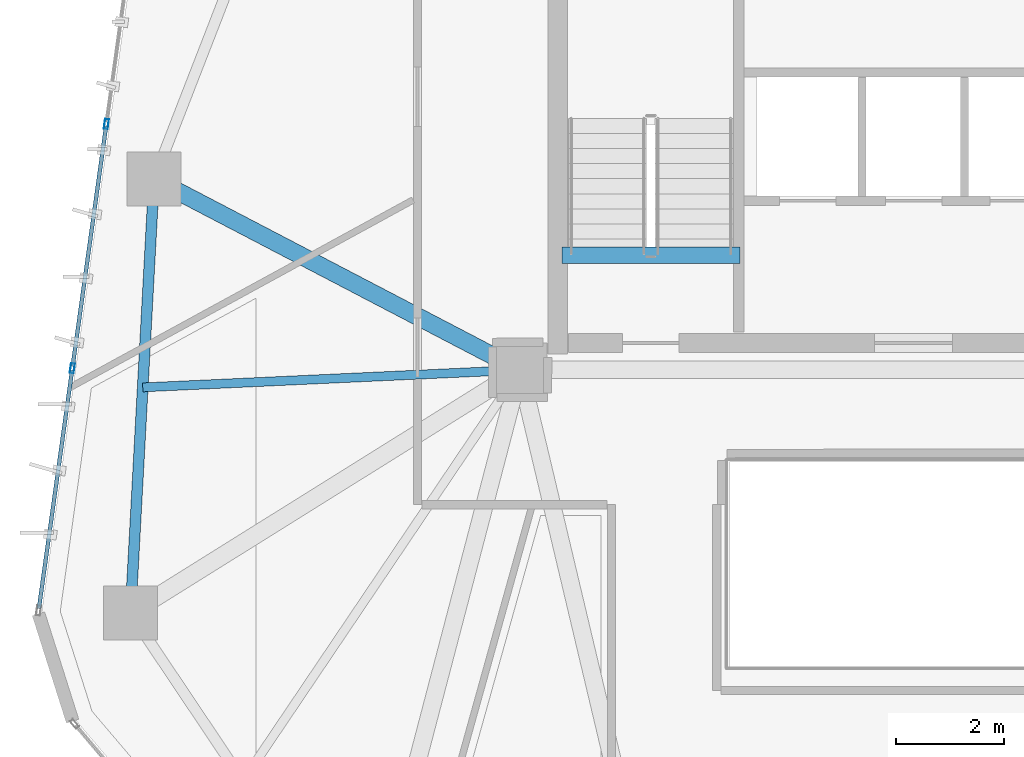
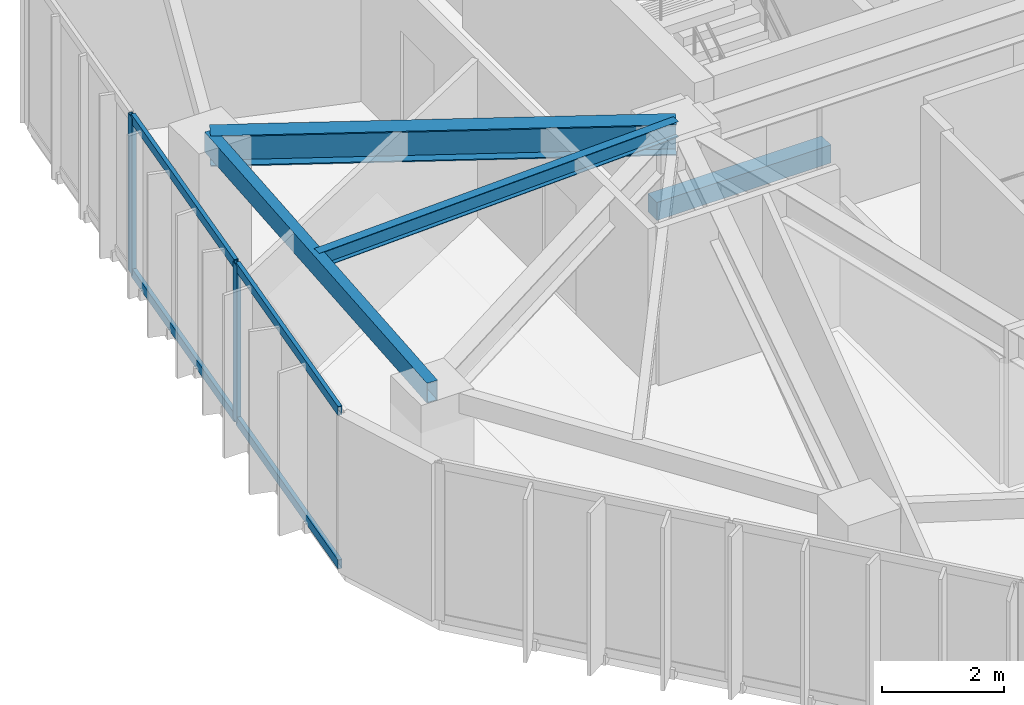
# One storey, part 8 of 21: 6 members, 4 beams, 1 element without a shape of its own.
"""IFC4 building model written with IfcOpenShell, lengths in metres."""

from ifc_helpers import new_model, si_unit, direction, frame, origin, origin_2d, place, context, subcontext, project, spatial, rectangle, hollow_rectangle, i_section, extrude, source, transform, mapped, material, layer, layer_set, material_profile, profile_set, type_object, type_shapes, element, aggregate, save


model = new_model("IFC4")

# Units and contexts
model_context = context("Model", 3, precision=1e-05, world=origin(), true_north=direction((0.0, 1.0)))
body_context = subcontext(model_context, "Body", "Model", "MODEL_VIEW")
ifc_project = project(units=[si_unit("LENGTHUNIT", "METRE"), si_unit("AREAUNIT", "SQUARE_METRE"), si_unit("VOLUMEUNIT", "CUBIC_METRE"), si_unit("PLANEANGLEUNIT", "RADIAN"), si_unit("MASSUNIT", "GRAM", prefix="KILO")], contexts=[model_context])

# Site, building, storey
site_placement = place(None, origin())
site = spatial("IfcSite", under=ifc_project, at=site_placement, CompositionType="ELEMENT")
building_placement = place(site_placement, origin())
building = spatial("IfcBuilding", under=site, at=building_placement, Name="Talar Marvaseh", CompositionType="ELEMENT")
storey_placement = place(building_placement, frame((0.0, 0.0, 232.699951171875)))
storey = spatial("IfcBuildingStorey", under=building, at=storey_placement, Name="L61", CompositionType="ELEMENT", Elevation=232.699951171875)

# Beams
ifc_material_1 = material(Name="Concrete C40/50", Category="concrete")
ifc_material_profile_1 = material_profile(ifc_material_1, rectangle(XDim=0.300048828125, YDim=0.360107421875, at=origin_2d()), Name="RC300x360")
ifc_profile_set_1 = profile_set([ifc_material_profile_1], Name="Concrete C40/50")
beam_type_1 = type_object("IfcBeamType", Name="Concrete Stair Landing Trimmer Beam RC300x360", PredefinedType="SPANDREL", material=ifc_profile_set_1)
beam_1_placement = place(storey_placement, frame((22.780029296875, 27.6298828125, -0.179931640625), z_axis=(-1.0, 0.0, 0.0), x_axis=(0.0, -1.0, 0.0)))
element("IfcBeam", 1, at=beam_1_placement, inside=storey, type_object=beam_type_1, Name="L61 ST-1 Stair Nosing Trimmer Beam", PredefinedType="SPANDREL", context=body_context, shape_type="SweptSolid", body=[
    extrude(rectangle(XDim=0.300048828125, YDim=0.360107421875, at=origin_2d()), origin(), (0.0, 0.0, 1.0), 3.300048828125),
])
ifc_material_2 = material(Name="Steel S355", Category="steel")
ifc_material_profile_2 = material_profile(ifc_material_2, hollow_rectangle(XDim=0.199951171875, YDim=0.39990234375, WallThickness=0.013916015625, at=origin_2d()), Name="RHS400x200x14")
ifc_profile_set_2 = profile_set([ifc_material_profile_2], Name="Steel S355")
beam_type_2 = type_object("IfcBeamType", Name="Zone 3 Perimeter Spandrel Beam RHS400x200x14", PredefinedType="SPANDREL", material=ifc_profile_set_2)
beam_2_placement = place(storey_placement, frame((11.471923828125, 20.986083984375, 2.949951171875), z_axis=(0.054148078426, 0.998532916635, 0.0), x_axis=(-0.998532916635, 0.054148078426, 0.0)))
element("IfcBeam", 2, at=beam_2_placement, inside=storey, type_object=beam_type_2, Name="L61 Zone 3 Perimeter Spandrel Beam RHS400x200x14", PredefinedType="SPANDREL", context=body_context, shape_type="SweptSolid", body=[
    extrude(hollow_rectangle(XDim=0.199951171875, YDim=0.39990234375, WallThickness=0.013916015625, at=origin_2d()), origin(), (0.0, 0.0, 1.0), 8.070556640625),
])
ifc_material_profile_3 = material_profile(ifc_material_2, i_section(OverallWidth=0.324951171875, OverallDepth=0.615966796875, WebThickness=0.013916015625, FlangeThickness=0.021484375, at=origin_2d()), Name="W610x174")
ifc_profile_set_3 = profile_set([ifc_material_profile_3], Name="Steel S355")
beam_type_3 = type_object("IfcBeamType", Name="Zone 3 Radial Floor Girder W610x174", PredefinedType="BEAM", material=ifc_profile_set_3)
beam_3_placement = place(storey_placement, frame((11.908935546875, 29.044921875, 2.842041015625), z_axis=(0.886489360055, -0.462748975697, 0.0), x_axis=(0.462748975697, 0.886489360055, 0.0)))
element("IfcBeam", 3, at=beam_3_placement, inside=storey, type_object=beam_type_3, Name="L61 Zone 3 Radial Floor Girder W610x174", PredefinedType="BEAM", context=body_context, shape_type="SweptSolid", body=[
    extrude(i_section(OverallWidth=0.324951171875, OverallDepth=0.615966796875, WebThickness=0.013916015625, FlangeThickness=0.021484375, at=origin_2d()), origin(), (0.0, 0.0, 1.0), 7.66064453125),
])
ifc_material_profile_4 = material_profile(ifc_material_2, i_section(OverallWidth=0.166015625, OverallDepth=0.31298828125, WebThickness=0.006591796875, FlangeThickness=0.01123046875, at=origin_2d()), Name="W310x45")
ifc_profile_set_4 = profile_set([ifc_material_profile_4], Name="Steel S355")
beam_type_4 = type_object("IfcBeamType", Name="Zone 3 Secondary Floor Joist W310x45", PredefinedType="JOIST", material=ifc_profile_set_4)
beam_4_placement = place(storey_placement, frame((11.69921875, 25.1767578125, 2.99365234375), z_axis=(0.998935745755, 0.046123484826, 0.0), x_axis=(-0.046123484826, 0.998935745755, 0.0)))
element("IfcBeam", 4, at=beam_4_placement, inside=storey, type_object=beam_type_4, Name="L61 Zone 3 Secondary Floor Joist W310x45", PredefinedType="JOIST", context=body_context, shape_type="SweptSolid", body=[
    extrude(i_section(OverallWidth=0.166015625, OverallDepth=0.31298828125, WebThickness=0.006591796875, FlangeThickness=0.01123046875, at=origin_2d()), origin(), (0.0, 0.0, 1.0), 7.00830078125),
])

# Curtain wall, members
ifc_material_3 = material(Name="Architectural Aluminium", Category="aluminium")
ifc_layer = layer(ifc_material_3, 0.18994140625)
ifc_layer_set = layer_set([ifc_layer], Name="Architectural Aluminium")
curtain_wall_type = type_object("IfcCurtainWallType", Name="Unitised Solar Atelier Curtain Wall Z3", PredefinedType="NOTDEFINED", material=ifc_layer_set)
curtain_wall_placement = place(storey_placement, origin())
curtain_wall = element("IfcCurtainWall", 5, at=curtain_wall_placement, inside=storey, type_object=curtain_wall_type, Name="L61 Unitised Solar Atelier Curtain Wall Z3", PredefinedType="NOTDEFINED")
ifc_material_profile_5 = material_profile(ifc_material_3, hollow_rectangle(XDim=0.074951171875, YDim=0.179931640625, WallThickness=0.0048828125, at=origin_2d()), Name="RHS180x75x5")
ifc_profile_set_5 = profile_set([ifc_material_profile_5], Name="Architectural Aluminium")
member_type_1 = type_object("IfcMemberType", Name="Unitised Curtain Wall Transom RHS180x75x5", PredefinedType="USERDEFINED", material=ifc_profile_set_5)
shared_shape_1 = source(origin(), body_context, "Body", "SweptSolid", [
    extrude(hollow_rectangle(XDim=0.074951171875, YDim=0.179931640625, WallThickness=0.0048828125, at=origin_2d()), origin(), (0.0, 0.0, 1.0), 4.502197265625),
])
member_1_placement = place(storey_placement, frame((10.39892578125, 25.568603515625, 0.03759765625), z_axis=(0.137951104237, 0.990439040446, 0.0), x_axis=(-0.990439040446, 0.137951104237, 0.0)))
member_1 = element("IfcMember", 6, at=member_1_placement, type_object=member_type_1, Name="CW-Z3 transom 2.1", ObjectType="TRANSOM", PredefinedType="USERDEFINED", context=body_context, shape_type="MappedRepresentation", body=[
    mapped(shared_shape_1, transform((0.0, 0.0, 0.0), x_axis=(1.0, 0.0, 0.0), y_axis=(0.0, 1.0, 0.0), z_axis=(0.0, 0.0, 1.0), scale=1.0)),
])
member_2_placement = place(storey_placement, frame((10.39892578125, 25.568603515625, 3.112548828125), z_axis=(0.137951104237, 0.990439040446, 0.0), x_axis=(-0.990439040446, 0.137951104237, 0.0)))
member_2 = element("IfcMember", 7, at=member_2_placement, type_object=member_type_1, Name="CW-Z3 transom 2.2", ObjectType="TRANSOM", PredefinedType="USERDEFINED", context=body_context, shape_type="MappedRepresentation", body=[
    mapped(shared_shape_1, transform((0.0, 0.0, 0.0), x_axis=(1.0, 0.0, 0.0), y_axis=(0.0, 1.0, 0.0), z_axis=(0.0, 0.0, 1.0), scale=1.0)),
])
shared_shape_2 = source(origin(), body_context, "Body", "SweptSolid", [
    extrude(hollow_rectangle(XDim=0.074951171875, YDim=0.179931640625, WallThickness=0.0048828125, at=origin_2d()), origin(), (0.0, 0.0, 1.0), 4.46484375),
])
type_shapes(member_type_1, [shared_shape_1, shared_shape_2])
member_3_placement = place(storey_placement, frame((9.7724609375, 21.072265625, 0.03759765625), z_axis=(0.137960275821, 0.990437762959, 0.0), x_axis=(-0.990437762959, 0.137960275821, 0.0)))
member_3 = element("IfcMember", 8, at=member_3_placement, type_object=member_type_1, Name="CW-Z3 transom 1.1", ObjectType="TRANSOM", PredefinedType="USERDEFINED", context=body_context, shape_type="MappedRepresentation", body=[
    mapped(shared_shape_2, transform((0.0, 0.0, 0.0), x_axis=(1.0, 0.0, 0.0), y_axis=(0.0, 1.0, 0.0), z_axis=(0.0, 0.0, 1.0), scale=1.0)),
])
member_4_placement = place(storey_placement, frame((9.7724609375, 21.072265625, 3.112548828125), z_axis=(0.137960275821, 0.990437762959, 0.0), x_axis=(-0.990437762959, 0.137960275821, 0.0)))
member_4 = element("IfcMember", 9, at=member_4_placement, type_object=member_type_1, Name="CW-Z3 transom 1.2", ObjectType="TRANSOM", PredefinedType="USERDEFINED", context=body_context, shape_type="MappedRepresentation", body=[
    mapped(shared_shape_2, transform((0.0, 0.0, 0.0), x_axis=(1.0, 0.0, 0.0), y_axis=(0.0, 1.0, 0.0), z_axis=(0.0, 0.0, 1.0), scale=1.0)),
])
ifc_material_profile_6 = material_profile(ifc_material_3, hollow_rectangle(XDim=0.074951171875, YDim=0.179931640625, WallThickness=0.0048828125, at=origin_2d()), Name="RHS180x75x5")
ifc_profile_set_6 = profile_set([ifc_material_profile_6], Name="Architectural Aluminium")
member_type_2 = type_object("IfcMemberType", Name="Unitised Curtain Wall Standard Mullion RHS180x75x5", PredefinedType="MULLION", material=ifc_profile_set_6)
shared_shape_3 = source(origin(), body_context, "Body", "SweptSolid", [
    extrude(hollow_rectangle(XDim=0.074951171875, YDim=0.179931640625, WallThickness=0.0048828125, at=origin_2d()), origin(), (0.0, 0.0, 1.0), 3.150146484375),
])
type_shapes(member_type_2, [shared_shape_3])
member_5_placement = place(storey_placement, frame((10.3935546875, 25.531494140625, 0.0), z_axis=(0.0, 0.0, 1.0), x_axis=(-0.990433084786, 0.137993856972, 0.0)))
member_5 = element("IfcMember", 10, at=member_5_placement, type_object=member_type_2, Name="CW-Z3 mullion 2", PredefinedType="MULLION", context=body_context, shape_type="MappedRepresentation", body=[
    mapped(shared_shape_3, transform((0.0, 0.0, 0.0), x_axis=(1.0, 0.0, 0.0), y_axis=(0.0, 1.0, 0.0), z_axis=(0.0, 0.0, 1.0), scale=1.0)),
])
member_6_placement = place(storey_placement, frame((11.025146484375, 30.06494140625, 0.0), z_axis=(0.0, 0.0, 1.0), x_axis=(-0.990433084786, 0.137993856972, 0.0)))
member_6 = element("IfcMember", 11, at=member_6_placement, type_object=member_type_2, Name="CW-Z3 mullion 3", PredefinedType="MULLION", context=body_context, shape_type="MappedRepresentation", body=[
    mapped(shared_shape_3, transform((0.0, 0.0, 0.0), x_axis=(1.0, 0.0, 0.0), y_axis=(0.0, 1.0, 0.0), z_axis=(0.0, 0.0, 1.0), scale=1.0)),
])
aggregate(curtain_wall, [member_5, member_6, member_3, member_4, member_1, member_2])

save(model, "model.ifc")
